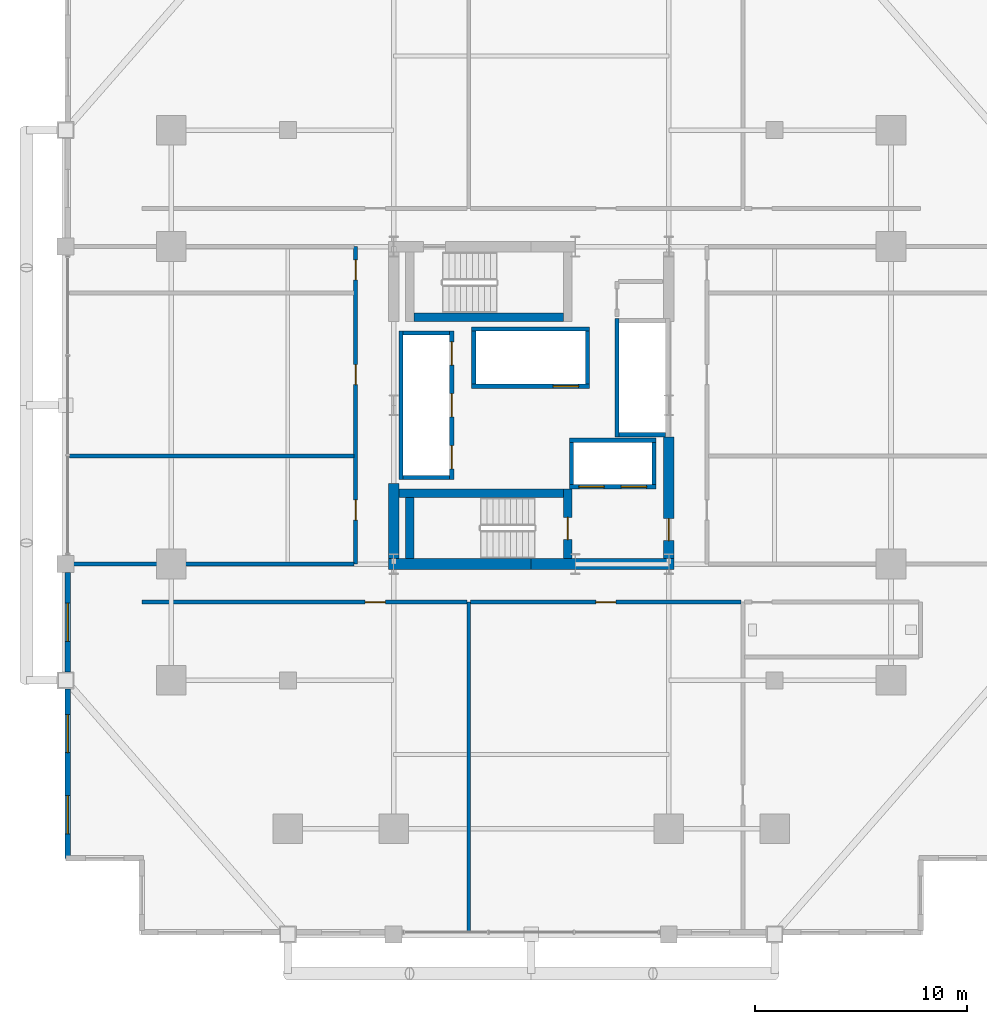
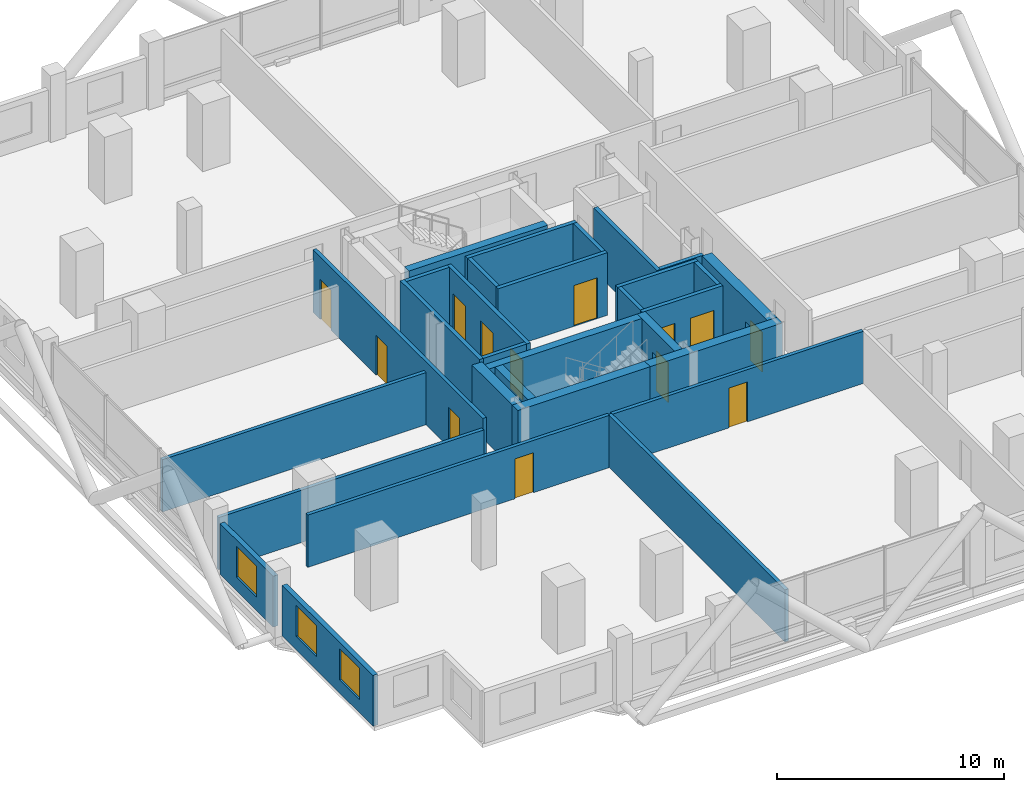
# One storey, part 21 of 26: 30 walls, 13 doors, 3 windows, 16 openings.
"""IFC4 building model written with IfcOpenShell, lengths in metres."""

from ifc_helpers import new_model, si_unit, direction, frame, frame_2d, origin, place, context, subcontext, project, spatial, rectangle, extrude, material, layer, layer_set, type_object, element, fill, save


model = new_model("IFC4")

# Units and contexts
model_context = context("Model", 3, precision=1e-05, world=origin(), true_north=direction((0.0, 1.0)))
body_context = subcontext(model_context, "Body", "Model", "MODEL_VIEW")
ifc_project = project(units=[si_unit("LENGTHUNIT", "METRE"), si_unit("AREAUNIT", "SQUARE_METRE"), si_unit("VOLUMEUNIT", "CUBIC_METRE"), si_unit("PLANEANGLEUNIT", "RADIAN"), si_unit("MASSUNIT", "GRAM", prefix="KILO")], contexts=[model_context])

# Site, building, storey
site_placement = place(None, origin())
site = spatial("IfcSite", under=ifc_project, at=site_placement, CompositionType="ELEMENT")
building_placement = place(site_placement, origin())
building = spatial("IfcBuilding", under=site, at=building_placement, Name="Barlavira Tower and Art Museum", CompositionType="ELEMENT")
storey_placement = place(building_placement, frame((0.0, 0.0, 82.800048828125)))
storey = spatial("IfcBuildingStorey", under=building, at=storey_placement, Name="L20", CompositionType="ELEMENT", Elevation=82.800048828125)

# Walls
ifc_material_1 = material(Name="Concrete C60", Category="concrete")
ifc_layer_1 = layer(ifc_material_1, 0.5, Name="Concrete C60")
ifc_layer_set_1 = layer_set([ifc_layer_1], Name="Concrete C60")
wall_type_1 = type_object("IfcWallType", Name="Core Structural Shear Wall 500 Concrete C60", PredefinedType="SHEAR", material=ifc_layer_set_1)
for number, where, z_axis, x_axis, name in (
    (1, (-6.75, -7.5, 0.0), (0.0, 0.0, 1.0), (1.0, 0.0, 0.0), "L20 Core Shear Wall CS-SW"),
    (2, (0.0, -7.5, 0.0), (0.0, 0.0, 1.0), (1.0, 0.0, 0.0), "L20 Core Shear Wall CS-SE"),
):
    element("IfcWall", number, at=place(storey_placement, frame(where, z_axis=z_axis, x_axis=x_axis)), inside=storey, type_object=wall_type_1, Name=name, PredefinedType="SHEAR", context=body_context, shape_type="SweptSolid", body=[
        extrude(rectangle(XDim=6.75, YDim=0.5, at=frame_2d((3.375, 0.0))), origin(), (0.0, 0.0, 1.0), 3.3798828125),
    ])
wall_1_placement = place(storey_placement, frame((-6.5, -7.25, 0.0), z_axis=(0.0, 0.0, 1.0), x_axis=(0.0, 1.0, 0.0)))
element("IfcWall", 3, at=wall_1_placement, inside=storey, type_object=wall_type_1, Name="L20 Core Shear Wall CS-W1", PredefinedType="SHEAR", context=body_context, shape_type="SweptSolid", body=[
    extrude(rectangle(XDim=3.550048828125, YDim=0.5, at=frame_2d((1.77490234375, 0.0))), origin(), (0.0, 0.0, 1.0), 3.3798828125),
])

# Wall, opening, door
wall_2_placement = place(storey_placement, frame((6.5, -7.25, 0.0), z_axis=(0.0, 0.0, 1.0), x_axis=(0.0, 1.0, 0.0)))
wall_2 = element("IfcWall", 4, at=wall_2_placement, inside=storey, type_object=wall_type_1, Name="L20 Core Shear Wall CS-E1", PredefinedType="SHEAR", context=body_context, shape_type="SweptSolid", body=[
    extrude(rectangle(XDim=5.75, YDim=0.5, at=frame_2d((2.875, 0.0))), origin(), (0.0, 0.0, 1.0), 3.3798828125),
])
opening_1_placement = place(wall_2_placement, frame((0.85009765625, 0.0, 0.0)))
opening_1 = element("IfcOpeningElement", 5, at=opening_1_placement, cuts=wall_2, Name="Opening FD-90", PredefinedType="OPENING", context=body_context, shape_type="SweptSolid", body=[
    extrude(rectangle(XDim=1.050048828125, YDim=2.14990234375, at=frame_2d((0.52490234375, 1.074951171875))), frame((0.0, 0.260009765625, 0.0), z_axis=(0.0, -1.0, 0.0), x_axis=(1.0, 0.0, 0.0)), (0.0, 0.0, 1.0), 0.52001953125),
])
ifc_material_2 = material(Name="Brushed stainless steel", Category="steel")
door_type_1 = type_object("IfcDoorType", Name="Stair and Refuge Fire Door 1050x2150 FD90S", OperationType="NOTDEFINED", PredefinedType="DOOR", material=ifc_material_2)
door_1_placement = place(opening_1_placement, origin())
door_1 = element("IfcDoor", 6, at=door_1_placement, inside=storey, type_object=door_type_1, Name="L20 Firefighting Lobby Entry Fire Door", OperationType="SINGLE_SWING_LEFT", OverallHeight=2.14990234375, OverallWidth=1.050048828125, PredefinedType="DOOR", context=body_context, shape_type="SweptSolid", body=[
    extrude(rectangle(XDim=1.050048828125, YDim=2.14990234375, at=frame_2d((0.52490234375, 1.074951171875))), frame((0.0, 0.02490234375, 0.0), z_axis=(0.0, -1.0, 0.0), x_axis=(1.0, 0.0, 0.0)), (0.0, 0.0, 1.0), 0.050048828125),
])
fill(opening_1, door_1)

# Wall, openings, doors
ifc_material_3 = material(Name="Autoclaved aerated concrete masonry", Category="masonry")
ifc_layer_2 = layer(ifc_material_3, 0.199951171875, Name="Autoclaved aerated concrete masonry")
ifc_layer_set_2 = layer_set([ifc_layer_2], Name="Autoclaved aerated concrete masonry")
wall_type_2 = type_object("IfcWallType", Name="Fire Compartment and Shaft Wall 200", PredefinedType="SOLIDWALL", material=ifc_layer_set_2)
wall_3_placement = place(storey_placement, frame((-3.75, -3.510009765625, 0.0), z_axis=(0.0, 0.0, 1.0), x_axis=(0.0, 1.0, 0.0)))
wall_3 = element("IfcWall", 7, at=wall_3_placement, inside=storey, type_object=wall_type_2, Name="L20 Low-Rise Lift Front Shaft Wall", PredefinedType="SOLIDWALL", context=body_context, shape_type="SweptSolid", body=[
    extrude(rectangle(XDim=7.02001953125, YDim=0.199951171875, at=frame_2d((3.510009765625, 0.0))), origin(), (0.0, 0.0, 1.0), 3.3798828125),
])
opening_2_placement = place(wall_3_placement, frame((0.510009765625, 0.0, 0.0)))
opening_2 = element("IfcOpeningElement", 8, at=opening_2_placement, cuts=wall_3, Name="Opening LD-P", PredefinedType="OPENING", context=body_context, shape_type="SweptSolid", body=[
    extrude(rectangle(XDim=1.10009765625, YDim=2.14990234375, at=frame_2d((0.550048828125, 1.074951171875))), frame((0.0, 0.10986328125, 0.0), z_axis=(0.0, -1.0, 0.0), x_axis=(1.0, 0.0, 0.0)), (0.0, 0.0, 1.0), 0.219970703125),
])
opening_3_placement = place(wall_3_placement, frame((2.9599609375, 0.0, 0.0)))
opening_3 = element("IfcOpeningElement", 9, at=opening_3_placement, cuts=wall_3, Name="Opening LD-P", PredefinedType="OPENING", context=body_context, shape_type="SweptSolid", body=[
    extrude(rectangle(XDim=1.10009765625, YDim=2.14990234375, at=frame_2d((0.550048828125, 1.074951171875))), frame((0.0, 0.10986328125, 0.0), z_axis=(0.0, -1.0, 0.0), x_axis=(1.0, 0.0, 0.0)), (0.0, 0.0, 1.0), 0.219970703125),
])
opening_4_placement = place(wall_3_placement, frame((5.409912109375, 0.0, 0.0)))
opening_4 = element("IfcOpeningElement", 10, at=opening_4_placement, cuts=wall_3, Name="Opening LD-P", PredefinedType="OPENING", context=body_context, shape_type="SweptSolid", body=[
    extrude(rectangle(XDim=1.10009765625, YDim=2.14990234375, at=frame_2d((0.550048828125, 1.074951171875))), frame((0.0, 0.10986328125, 0.0), z_axis=(0.0, -1.0, 0.0), x_axis=(1.0, 0.0, 0.0)), (0.0, 0.0, 1.0), 0.219970703125),
])
door_type_2 = type_object("IfcDoorType", Name="Passenger Lift Sliding Landing Door 1100x2150 FD60", OperationType="NOTDEFINED", PredefinedType="DOOR", material=ifc_material_2)
door_2_placement = place(opening_2_placement, origin())
door_2 = element("IfcDoor", 11, at=door_2_placement, inside=storey, type_object=door_type_2, Name="L20 Lift PL1 Sliding Landing Door", OperationType="DOUBLE_DOOR_SLIDING", OverallHeight=2.14990234375, OverallWidth=1.10009765625, PredefinedType="DOOR", context=body_context, shape_type="SweptSolid", body=[
    extrude(rectangle(XDim=1.10009765625, YDim=2.14990234375, at=frame_2d((0.550048828125, 1.074951171875))), frame((0.0, 0.02490234375, 0.0), z_axis=(0.0, -1.0, 0.0), x_axis=(1.0, 0.0, 0.0)), (0.0, 0.0, 1.0), 0.050048828125),
])
fill(opening_2, door_2)
door_3_placement = place(opening_3_placement, origin())
door_3 = element("IfcDoor", 12, at=door_3_placement, inside=storey, type_object=door_type_2, Name="L20 Lift PL2 Sliding Landing Door", OperationType="DOUBLE_DOOR_SLIDING", OverallHeight=2.14990234375, OverallWidth=1.10009765625, PredefinedType="DOOR", context=body_context, shape_type="SweptSolid", body=[
    extrude(rectangle(XDim=1.10009765625, YDim=2.14990234375, at=frame_2d((0.550048828125, 1.074951171875))), frame((0.0, 0.02490234375, 0.0), z_axis=(0.0, -1.0, 0.0), x_axis=(1.0, 0.0, 0.0)), (0.0, 0.0, 1.0), 0.050048828125),
])
fill(opening_3, door_3)
door_4_placement = place(opening_4_placement, origin())
door_4 = element("IfcDoor", 13, at=door_4_placement, inside=storey, type_object=door_type_2, Name="L20 Lift PL3 Sliding Landing Door", OperationType="DOUBLE_DOOR_SLIDING", OverallHeight=2.14990234375, OverallWidth=1.10009765625, PredefinedType="DOOR", context=body_context, shape_type="SweptSolid", body=[
    extrude(rectangle(XDim=1.10009765625, YDim=2.14990234375, at=frame_2d((0.550048828125, 1.074951171875))), frame((0.0, 0.02490234375, 0.0), z_axis=(0.0, -1.0, 0.0), x_axis=(1.0, 0.0, 0.0)), (0.0, 0.0, 1.0), 0.050048828125),
])
fill(opening_4, door_4)

# Walls
wall_4_placement = place(storey_placement, frame((-6.14990234375, -3.510009765625, 0.0), z_axis=(0.0, 0.0, 1.0), x_axis=(0.0, 1.0, 0.0)))
element("IfcWall", 14, at=wall_4_placement, inside=storey, type_object=wall_type_2, Name="L20 Low-Rise Lift Back Shaft Wall", PredefinedType="SOLIDWALL", context=body_context, shape_type="SweptSolid", body=[
    extrude(rectangle(XDim=7.02001953125, YDim=0.199951171875, at=frame_2d((3.510009765625, 0.0))), origin(), (0.0, 0.0, 1.0), 3.3798828125),
])
for number, where, z_axis, x_axis, name in (
    (15, (-6.050048828125, -3.409912109375, 0.0), (0.0, 0.0, 1.0), (1.0, 0.0, 0.0), "L20 Low-Rise Lift South Shaft Wall"),
    (16, (-6.050048828125, 3.409912109375, 0.0), (0.0, 0.0, 1.0), (1.0, 0.0, 0.0), "L20 Low-Rise Lift North Shaft Wall"),
):
    element("IfcWall", number, at=place(storey_placement, frame(where, z_axis=z_axis, x_axis=x_axis)), inside=storey, type_object=wall_type_2, Name=name, PredefinedType="SOLIDWALL", context=body_context, shape_type="SweptSolid", body=[
        extrude(rectangle(XDim=2.199951171875, YDim=0.199951171875, at=frame_2d((1.10009765625, 0.0))), origin(), (0.0, 0.0, 1.0), 3.3798828125),
    ])
wall_5_placement = place(storey_placement, frame((4.050048828125, -1.489990234375, 0.0), z_axis=(0.0, 0.0, 1.0), x_axis=(0.0, 1.0, 0.0)))
element("IfcWall", 17, at=wall_5_placement, inside=storey, type_object=wall_type_2, Name="L20 Mid-Rise Lift Front Shaft Wall", PredefinedType="SOLIDWALL", context=body_context, shape_type="SweptSolid", body=[
    extrude(rectangle(XDim=5.580078125, YDim=0.199951171875, at=frame_2d((2.7900390625, 0.0))), origin(), (0.0, 0.0, 1.0), 3.3798828125),
])
wall_6_placement = place(storey_placement, frame((4.14990234375, -1.389892578125, 0.0), z_axis=(0.0, 0.0, 1.0), x_axis=(1.0, 0.0, 0.0)))
element("IfcWall", 18, at=wall_6_placement, inside=storey, type_object=wall_type_2, Name="L20 Mid-Rise Lift South Shaft Wall", PredefinedType="SOLIDWALL", context=body_context, shape_type="SweptSolid", body=[
    extrude(rectangle(XDim=2.2001953125, YDim=0.199951171875, at=frame_2d((1.10009765625, 0.0))), origin(), (0.0, 0.0, 1.0), 3.3798828125),
])

# Wall, opening, door
wall_7_placement = place(storey_placement, frame((-2.820068359375, 0.89990234375, 0.0), z_axis=(0.0, 0.0, 1.0), x_axis=(1.0, 0.0, 0.0)))
wall_7 = element("IfcWall", 19, at=wall_7_placement, inside=storey, type_object=wall_type_2, Name="L20 High-Rise & Service Lift Front Wall", PredefinedType="SOLIDWALL", context=body_context, shape_type="SweptSolid", body=[
    extrude(rectangle(XDim=5.580078125, YDim=0.199951171875, at=frame_2d((2.7900390625, 0.0))), origin(), (0.0, 0.0, 1.0), 3.3798828125),
])
opening_5_placement = place(wall_7_placement, frame((3.860107421875, 0.0, 0.0)))
opening_5 = element("IfcOpeningElement", 20, at=opening_5_placement, cuts=wall_7, Name="Opening LD-F", PredefinedType="OPENING", context=body_context, shape_type="SweptSolid", body=[
    extrude(rectangle(XDim=1.199951171875, YDim=2.199951171875, at=frame_2d((0.60009765625, 1.10009765625))), frame((0.0, 0.10986328125, 0.0), z_axis=(0.0, -1.0, 0.0), x_axis=(1.0, 0.0, 0.0)), (0.0, 0.0, 1.0), 0.219970703125),
])
door_type_3 = type_object("IfcDoorType", Name="Firefighting and Service Lift Sliding Door 1200x2200 FD120", OperationType="NOTDEFINED", PredefinedType="DOOR", material=ifc_material_2)
door_5_placement = place(opening_5_placement, origin())
door_5 = element("IfcDoor", 21, at=door_5_placement, inside=storey, type_object=door_type_3, Name="L20 Stretcher Service Lift SL1 Sliding Door", OperationType="DOUBLE_DOOR_SLIDING", OverallHeight=2.199951171875, OverallWidth=1.199951171875, PredefinedType="DOOR", context=body_context, shape_type="SweptSolid", body=[
    extrude(rectangle(XDim=1.199951171875, YDim=2.199951171875, at=frame_2d((0.60009765625, 1.10009765625))), frame((0.0, 0.02490234375, 0.0), z_axis=(0.0, -1.0, 0.0), x_axis=(1.0, 0.0, 0.0)), (0.0, 0.0, 1.0), 0.050048828125),
])
fill(opening_5, door_5)

# Walls
wall_8_placement = place(storey_placement, frame((-2.820068359375, 3.60009765625, 0.0), z_axis=(0.0, 0.0, 1.0), x_axis=(1.0, 0.0, 0.0)))
element("IfcWall", 22, at=wall_8_placement, inside=storey, type_object=wall_type_2, Name="L20 High-Rise & Service Lift Back Wall", PredefinedType="SOLIDWALL", context=body_context, shape_type="SweptSolid", body=[
    extrude(rectangle(XDim=5.580078125, YDim=0.199951171875, at=frame_2d((2.7900390625, 0.0))), origin(), (0.0, 0.0, 1.0), 3.3798828125),
])
for number, where, z_axis, x_axis, name in (
    (23, (-2.719970703125, 1.0, 0.0), (0.0, 0.0, 1.0), (0.0, 1.0, 0.0), "L20 High-Rise & Service Lift West Wall"),
    (24, (2.659912109375, 1.0, 0.0), (0.0, 0.0, 1.0), (0.0, 1.0, 0.0), "L20 High-Rise & Service Lift East Wall"),
):
    element("IfcWall", number, at=place(storey_placement, frame(where, z_axis=z_axis, x_axis=x_axis)), inside=storey, type_object=wall_type_2, Name=name, PredefinedType="SOLIDWALL", context=body_context, shape_type="SweptSolid", body=[
        extrude(rectangle(XDim=2.5, YDim=0.199951171875, at=frame_2d((1.25, 0.0))), origin(), (0.0, 0.0, 1.0), 3.3798828125),
    ])

# Wall, openings, doors
wall_9_placement = place(storey_placement, frame((1.800048828125, -3.85009765625, 0.0), z_axis=(0.0, 0.0, 1.0), x_axis=(1.0, 0.0, 0.0)))
wall_9 = element("IfcWall", 25, at=wall_9_placement, inside=storey, type_object=wall_type_2, Name="L20 Firefighting Lift Front Shaft Wall", PredefinedType="SOLIDWALL", context=body_context, shape_type="SweptSolid", body=[
    extrude(rectangle(XDim=4.099853515625, YDim=0.199951171875, at=frame_2d((2.0498046875, 0.0))), origin(), (0.0, 0.0, 1.0), 3.3798828125),
])
opening_6_placement = place(wall_9_placement, frame((0.449951171875, 0.0, 0.0)))
opening_6 = element("IfcOpeningElement", 26, at=opening_6_placement, cuts=wall_9, Name="Opening LD-F", PredefinedType="OPENING", context=body_context, shape_type="SweptSolid", body=[
    extrude(rectangle(XDim=1.199951171875, YDim=2.199951171875, at=frame_2d((0.60009765625, 1.10009765625))), frame((0.0, 0.10986328125, 0.0), z_axis=(0.0, -1.0, 0.0), x_axis=(1.0, 0.0, 0.0)), (0.0, 0.0, 1.0), 0.219970703125),
])
opening_7_placement = place(wall_9_placement, frame((2.449951171875, 0.0, 0.0)))
opening_7 = element("IfcOpeningElement", 27, at=opening_7_placement, cuts=wall_9, Name="Opening LD-F", PredefinedType="OPENING", context=body_context, shape_type="SweptSolid", body=[
    extrude(rectangle(XDim=1.199951171875, YDim=2.199951171875, at=frame_2d((0.60009765625, 1.10009765625))), frame((0.0, 0.10986328125, 0.0), z_axis=(0.0, -1.0, 0.0), x_axis=(1.0, 0.0, 0.0)), (0.0, 0.0, 1.0), 0.219970703125),
])
door_6_placement = place(opening_6_placement, origin())
door_6 = element("IfcDoor", 28, at=door_6_placement, inside=storey, type_object=door_type_3, Name="L20 Firefighting Lift FF1 Sliding Door", OperationType="DOUBLE_DOOR_SLIDING", OverallHeight=2.199951171875, OverallWidth=1.199951171875, PredefinedType="DOOR", context=body_context, shape_type="SweptSolid", body=[
    extrude(rectangle(XDim=1.199951171875, YDim=2.199951171875, at=frame_2d((0.60009765625, 1.10009765625))), frame((0.0, 0.02490234375, 0.0), z_axis=(0.0, -1.0, 0.0), x_axis=(1.0, 0.0, 0.0)), (0.0, 0.0, 1.0), 0.050048828125),
])
fill(opening_6, door_6)
door_7_placement = place(opening_7_placement, origin())
door_7 = element("IfcDoor", 29, at=door_7_placement, inside=storey, type_object=door_type_3, Name="L20 Firefighting Lift FF2 Sliding Door", OperationType="DOUBLE_DOOR_SLIDING", OverallHeight=2.199951171875, OverallWidth=1.199951171875, PredefinedType="DOOR", context=body_context, shape_type="SweptSolid", body=[
    extrude(rectangle(XDim=1.199951171875, YDim=2.199951171875, at=frame_2d((0.60009765625, 1.10009765625))), frame((0.0, 0.02490234375, 0.0), z_axis=(0.0, -1.0, 0.0), x_axis=(1.0, 0.0, 0.0)), (0.0, 0.0, 1.0), 0.050048828125),
])
fill(opening_7, door_7)

# Walls
wall_10_placement = place(storey_placement, frame((1.800048828125, -1.64990234375, 0.0), z_axis=(0.0, 0.0, 1.0), x_axis=(1.0, 0.0, 0.0)))
element("IfcWall", 30, at=wall_10_placement, inside=storey, type_object=wall_type_2, Name="L20 Firefighting Lift Back Shaft Wall", PredefinedType="SOLIDWALL", context=body_context, shape_type="SweptSolid", body=[
    extrude(rectangle(XDim=4.099853515625, YDim=0.199951171875, at=frame_2d((2.0498046875, 0.0))), origin(), (0.0, 0.0, 1.0), 3.3798828125),
])
for number, where, z_axis, x_axis, name in (
    (31, (1.89990234375, -3.75, 0.0), (0.0, 0.0, 1.0), (0.0, 1.0, 0.0), "L20 Firefighting Lift West Shaft Wall"),
    (32, (5.800048828125, -3.75, 0.0), (0.0, 0.0, 1.0), (0.0, 1.0, 0.0), "L20 Firefighting Lift East Shaft Wall"),
):
    element("IfcWall", number, at=place(storey_placement, frame(where, z_axis=z_axis, x_axis=x_axis)), inside=storey, type_object=wall_type_2, Name=name, PredefinedType="SOLIDWALL", context=body_context, shape_type="SweptSolid", body=[
        extrude(rectangle(XDim=2.0, YDim=0.199951171875, at=frame_2d((1.0, 0.0))), origin(), (0.0, 0.0, 1.0), 3.3798828125),
    ])

# Wall, openings, doors
ifc_material_4 = material(Name="Gypsum acoustic stud partition", Category="gypsum")
ifc_layer_3 = layer(ifc_material_4, 0.179931640625, Name="Gypsum acoustic stud partition")
ifc_layer_set_3 = layer_set([ifc_layer_3], Name="Gypsum acoustic stud partition")
wall_type_3 = type_object("IfcWallType", Name="Inter-Tenancy Party Partition Wall 180", PredefinedType="PARTITIONING", material=ifc_layer_set_3)
wall_11_placement = place(storey_placement, frame((-8.300048828125, -7.5, 0.0), z_axis=(0.0, 0.0, 1.0), x_axis=(0.0, 1.0, 0.0)))
wall_11 = element("IfcWall", 33, at=wall_11_placement, inside=storey, type_object=wall_type_3, Name="L20 Partition Wall 1", PredefinedType="PARTITIONING", context=body_context, shape_type="SweptSolid", body=[
    extrude(rectangle(XDim=15.0, YDim=0.179931640625, at=frame_2d((7.5, 0.0))), origin(), (0.0, 0.0, 1.0), 3.3798828125),
])
opening_8_placement = place(wall_11_placement, frame((2.074951171875, 0.0, 0.0)))
opening_8 = element("IfcOpeningElement", 34, at=opening_8_placement, cuts=wall_11, Name="Opening FD-60", PredefinedType="OPENING", context=body_context, shape_type="SweptSolid", body=[
    extrude(rectangle(XDim=0.949951171875, YDim=2.14990234375, at=frame_2d((0.47509765625, 1.074951171875))), frame((0.0, 0.10009765625, 0.0), z_axis=(0.0, -1.0, 0.0), x_axis=(1.0, 0.0, 0.0)), (0.0, 0.0, 1.0), 0.199951171875),
])
opening_9_placement = place(wall_11_placement, frame((8.47509765625, 0.0, 0.0)))
opening_9 = element("IfcOpeningElement", 35, at=opening_9_placement, cuts=wall_11, Name="Opening FD-60", PredefinedType="OPENING", context=body_context, shape_type="SweptSolid", body=[
    extrude(rectangle(XDim=0.949951171875, YDim=2.14990234375, at=frame_2d((0.47509765625, 1.074951171875))), frame((0.0, 0.10009765625, 0.0), z_axis=(0.0, -1.0, 0.0), x_axis=(1.0, 0.0, 0.0)), (0.0, 0.0, 1.0), 0.199951171875),
])
opening_10_placement = place(wall_11_placement, frame((13.425048828125, 0.0, 0.0)))
opening_10 = element("IfcOpeningElement", 36, at=opening_10_placement, cuts=wall_11, Name="Opening FD-60", PredefinedType="OPENING", context=body_context, shape_type="SweptSolid", body=[
    extrude(rectangle(XDim=0.949951171875, YDim=2.14990234375, at=frame_2d((0.47509765625, 1.074951171875))), frame((0.0, 0.10009765625, 0.0), z_axis=(0.0, -1.0, 0.0), x_axis=(1.0, 0.0, 0.0)), (0.0, 0.0, 1.0), 0.199951171875),
])
door_type_4 = type_object("IfcDoorType", Name="Apartment Entrance and Riser Fire Door 950x2150 FD60S", OperationType="NOTDEFINED", PredefinedType="DOOR", material=ifc_material_2)
door_8_placement = place(opening_8_placement, origin())
door_8 = element("IfcDoor", 37, at=door_8_placement, inside=storey, type_object=door_type_4, Name="Resident Art Collectors Salon Door", OperationType="SINGLE_SWING_RIGHT", OverallHeight=2.14990234375, OverallWidth=0.949951171875, PredefinedType="DOOR", context=body_context, shape_type="SweptSolid", body=[
    extrude(rectangle(XDim=0.949951171875, YDim=2.14990234375, at=frame_2d((0.47509765625, 1.074951171875))), frame((0.0, 0.02490234375, 0.0), z_axis=(0.0, -1.0, 0.0), x_axis=(1.0, 0.0, 0.0)), (0.0, 0.0, 1.0), 0.050048828125),
])
fill(opening_8, door_8)
door_9_placement = place(opening_9_placement, origin())
door_9 = element("IfcDoor", 38, at=door_9_placement, inside=storey, type_object=door_type_4, Name="Sculpture and Painting Workshop Door", OperationType="SINGLE_SWING_LEFT", OverallHeight=2.14990234375, OverallWidth=0.949951171875, PredefinedType="DOOR", context=body_context, shape_type="SweptSolid", body=[
    extrude(rectangle(XDim=0.949951171875, YDim=2.14990234375, at=frame_2d((0.47509765625, 1.074951171875))), frame((0.0, 0.02490234375, 0.0), z_axis=(0.0, -1.0, 0.0), x_axis=(1.0, 0.0, 0.0)), (0.0, 0.0, 1.0), 0.050048828125),
])
fill(opening_9, door_9)
door_10_placement = place(opening_10_placement, origin())
door_10 = element("IfcDoor", 39, at=door_10_placement, inside=storey, type_object=door_type_4, Name="Climate-Controlled Wine Tasting Room Door", OperationType="SINGLE_SWING_RIGHT", OverallHeight=2.14990234375, OverallWidth=0.949951171875, PredefinedType="DOOR", context=body_context, shape_type="SweptSolid", body=[
    extrude(rectangle(XDim=0.949951171875, YDim=2.14990234375, at=frame_2d((0.47509765625, 1.074951171875))), frame((0.0, 0.02490234375, 0.0), z_axis=(0.0, -1.0, 0.0), x_axis=(1.0, 0.0, 0.0)), (0.0, 0.0, 1.0), 0.050048828125),
])
fill(opening_10, door_10)

# Wall
wall_12_placement = place(storey_placement, frame((-2.949951171875, -24.89990234375, 0.0), z_axis=(0.0, 0.0, 1.0), x_axis=(0.0, 1.0, 0.0)))
element("IfcWall", 40, at=wall_12_placement, inside=storey, type_object=wall_type_3, Name="L20 Partition Wall 2", PredefinedType="PARTITIONING", context=body_context, shape_type="SweptSolid", body=[
    extrude(rectangle(XDim=15.599853515625, YDim=0.179931640625, at=frame_2d((7.7998046875, 0.0))), origin(), (0.0, 0.0, 1.0), 2.81591796875),
])

# Wall, opening, door
wall_13_placement = place(storey_placement, frame((-18.39990234375, -9.300048828125, 0.0), z_axis=(0.0, 0.0, 1.0), x_axis=(1.0, 0.0, 0.0)))
wall_13 = element("IfcWall", 41, at=wall_13_placement, inside=storey, type_object=wall_type_3, Name="L20 Partition Wall 10", PredefinedType="PARTITIONING", context=body_context, shape_type="SweptSolid", body=[
    extrude(rectangle(XDim=15.369873046875, YDim=0.179931640625, at=frame_2d((7.68505859375, 0.0))), origin(), (0.0, 0.0, 1.0), 2.81591796875),
])
opening_11_placement = place(wall_13_placement, frame((10.554931640625, 0.0, 0.0)))
opening_11 = element("IfcOpeningElement", 42, at=opening_11_placement, cuts=wall_13, Name="Opening FD-60", PredefinedType="OPENING", context=body_context, shape_type="SweptSolid", body=[
    extrude(rectangle(XDim=0.949951171875, YDim=2.14990234375, at=frame_2d((0.47509765625, 1.074951171875))), frame((0.0, 0.10009765625, 0.0), z_axis=(0.0, -1.0, 0.0), x_axis=(1.0, 0.0, 0.0)), (0.0, 0.0, 1.0), 0.199951171875),
])
door_11_placement = place(opening_11_placement, origin())
door_11 = element("IfcDoor", 43, at=door_11_placement, inside=storey, type_object=door_type_4, Name="Resident Ocean-View Fitness Studio Door", OperationType="SINGLE_SWING_LEFT", OverallHeight=2.14990234375, OverallWidth=0.949951171875, PredefinedType="DOOR", context=body_context, shape_type="SweptSolid", body=[
    extrude(rectangle(XDim=0.949951171875, YDim=2.14990234375, at=frame_2d((0.47509765625, 1.074951171875))), frame((0.0, 0.02490234375, 0.0), z_axis=(0.0, -1.0, 0.0), x_axis=(1.0, 0.0, 0.0)), (0.0, 0.0, 1.0), 0.050048828125),
])
fill(opening_11, door_11)

wall_14_placement = place(storey_placement, frame((-2.8701171875, -9.300048828125, 0.0), z_axis=(0.0, 0.0, 1.0), x_axis=(1.0, 0.0, 0.0)))
wall_14 = element("IfcWall", 44, at=wall_14_placement, inside=storey, type_object=wall_type_3, Name="L20 Partition Wall 11", PredefinedType="PARTITIONING", context=body_context, shape_type="SweptSolid", body=[
    extrude(rectangle(XDim=12.7900390625, YDim=0.179931640625, at=frame_2d((6.39501953125, 0.0))), origin(), (0.0, 0.0, 1.0), 2.81591796875),
])
opening_12_placement = place(wall_14_placement, frame((5.925048828125, 0.0, 0.0)))
opening_12 = element("IfcOpeningElement", 45, at=opening_12_placement, cuts=wall_14, Name="Opening FD-60", PredefinedType="OPENING", context=body_context, shape_type="SweptSolid", body=[
    extrude(rectangle(XDim=0.949951171875, YDim=2.14990234375, at=frame_2d((0.47509765625, 1.074951171875))), frame((0.0, 0.10009765625, 0.0), z_axis=(0.0, -1.0, 0.0), x_axis=(1.0, 0.0, 0.0)), (0.0, 0.0, 1.0), 0.199951171875),
])
door_12_placement = place(opening_12_placement, origin())
door_12 = element("IfcDoor", 46, at=door_12_placement, inside=storey, type_object=door_type_4, Name="Coastal Hydrotherapy and Yoga Lounge Door", OperationType="SINGLE_SWING_RIGHT", OverallHeight=2.14990234375, OverallWidth=0.949951171875, PredefinedType="DOOR", context=body_context, shape_type="SweptSolid", body=[
    extrude(rectangle(XDim=0.949951171875, YDim=2.14990234375, at=frame_2d((0.47509765625, 1.074951171875))), frame((0.0, 0.02490234375, 0.0), z_axis=(0.0, -1.0, 0.0), x_axis=(1.0, 0.0, 0.0)), (0.0, 0.0, 1.0), 0.050048828125),
])
fill(opening_12, door_12)

# Walls
wall_15_placement = place(storey_placement, frame((-21.89990234375, -7.5, 0.0), z_axis=(0.0, 0.0, 1.0), x_axis=(1.0, 0.0, 0.0)))
element("IfcWall", 47, at=wall_15_placement, inside=storey, type_object=wall_type_3, Name="L20 Partition Wall 13", PredefinedType="PARTITIONING", context=body_context, shape_type="SweptSolid", body=[
    extrude(rectangle(XDim=13.52001953125, YDim=0.179931640625, at=frame_2d((6.760009765625, 0.0))), origin(), (0.0, 0.0, 1.0), 2.81591796875),
])
wall_16_placement = place(storey_placement, frame((-21.820068359375, -2.39990234375, 0.0), z_axis=(0.0, 0.0, 1.0), x_axis=(1.0, 0.0, 0.0)))
element("IfcWall", 48, at=wall_16_placement, inside=storey, type_object=wall_type_3, Name="L20 Partition Wall 15", PredefinedType="PARTITIONING", context=body_context, shape_type="SweptSolid", body=[
    extrude(rectangle(XDim=13.440185546875, YDim=0.179931640625, at=frame_2d((6.72021484375, 0.0))), origin(), (0.0, 0.0, 1.0), 2.81591796875),
])

# Wall, opening, window
ifc_material_5 = material(Name="Precast concrete C40", Category="concrete")
ifc_layer_4 = layer(ifc_material_5, 0.25, Name="Precast concrete C40")
ifc_layer_set_4 = layer_set([ifc_layer_4], Name="Precast concrete C40")
wall_type_4 = type_object("IfcWallType", Name="Notched Corner Spandrel Wall 250 Precast Concrete C40", PredefinedType="SOLIDWALL", material=ifc_layer_set_4)
wall_17_placement = place(storey_placement, frame((-21.89990234375, -7.89501953125, 0.0), z_axis=(0.0, 0.0, 1.0), x_axis=(0.0, -1.0, 0.0)))
wall_17 = element("IfcWall", 49, at=wall_17_placement, inside=storey, type_object=wall_type_4, Name="L20 Coastal Facade Pier Wall CW1-L20-W-4", PredefinedType="SOLIDWALL", context=body_context, shape_type="SweptSolid", body=[
    extrude(rectangle(XDim=4.7099609375, YDim=0.25, at=frame_2d((2.35498046875, 0.0))), origin(), (0.0, 0.0, 1.0), 2.73583984375),
])
opening_13_placement = place(wall_17_placement, frame((1.455078125, 0.0, 0.719970703125)))
opening_13 = element("IfcOpeningElement", 50, at=opening_13_placement, cuts=wall_17, Name="Opening WN-01", PredefinedType="OPENING", context=body_context, shape_type="SweptSolid", body=[
    extrude(rectangle(XDim=1.800048828125, YDim=1.679931640625, at=frame_2d((0.89990234375, 0.83984375))), frame((0.0, 0.135009765625, 0.0), z_axis=(0.0, -1.0, 0.0), x_axis=(1.0, 0.0, 0.0)), (0.0, 0.0, 1.0), 0.27001953125),
])
ifc_material_6 = material(Name="Low-iron coastal laminated glass", Category="glass")
window_type = type_object("IfcWindowType", Name="Recessed Notch Corner Punch Window 1800x1680", PartitioningType="SINGLE_PANEL", PredefinedType="WINDOW", material=ifc_material_6)
window_1_placement = place(opening_13_placement, origin())
window_1 = element("IfcWindow", 51, at=window_1_placement, inside=storey, type_object=window_type, Name="L20 Punched Facade Window EWP-CW1-L20-W-4-1", OverallHeight=1.679931640625, OverallWidth=1.800048828125, PartitioningType="SINGLE_PANEL", PredefinedType="WINDOW", context=body_context, shape_type="SweptSolid", body=[
    extrude(rectangle(XDim=1.800048828125, YDim=1.679931640625, at=frame_2d((0.89990234375, 0.83984375))), frame((0.0, 0.030029296875, 0.0), z_axis=(0.0, -1.0, 0.0), x_axis=(1.0, 0.0, 0.0)), (0.0, 0.0, 1.0), 0.06005859375),
])
fill(opening_13, window_1)

# Wall, openings, windows
wall_18_placement = place(storey_placement, frame((-21.89990234375, -13.39501953125, 0.0), z_axis=(0.0, 0.0, 1.0), x_axis=(0.0, -1.0, 0.0)))
wall_18 = element("IfcWall", 52, at=wall_18_placement, inside=storey, type_object=wall_type_4, Name="L20 Coastal Facade Pier Wall CW1-L20-W-5", PredefinedType="SOLIDWALL", context=body_context, shape_type="SweptSolid", body=[
    extrude(rectangle(XDim=8.030029296875, YDim=0.25, at=frame_2d((4.01513671875, 0.0))), origin(), (0.0, 0.0, 1.0), 2.73583984375),
])
opening_14_placement = place(wall_18_placement, frame((1.220947265625, 0.0, 0.719970703125)))
opening_14 = element("IfcOpeningElement", 53, at=opening_14_placement, cuts=wall_18, Name="Opening WN-01", PredefinedType="OPENING", context=body_context, shape_type="SweptSolid", body=[
    extrude(rectangle(XDim=1.800048828125, YDim=1.679931640625, at=frame_2d((0.89990234375, 0.83984375))), frame((0.0, 0.135009765625, 0.0), z_axis=(0.0, -1.0, 0.0), x_axis=(1.0, 0.0, 0.0)), (0.0, 0.0, 1.0), 0.27001953125),
])
opening_15_placement = place(wall_18_placement, frame((5.053955078125, 0.0, 0.719970703125)))
opening_15 = element("IfcOpeningElement", 54, at=opening_15_placement, cuts=wall_18, Name="Opening WN-01", PredefinedType="OPENING", context=body_context, shape_type="SweptSolid", body=[
    extrude(rectangle(XDim=1.800048828125, YDim=1.679931640625, at=frame_2d((0.89990234375, 0.83984375))), frame((0.0, 0.135009765625, 0.0), z_axis=(0.0, -1.0, 0.0), x_axis=(1.0, 0.0, 0.0)), (0.0, 0.0, 1.0), 0.27001953125),
])
window_2_placement = place(opening_14_placement, origin())
window_2 = element("IfcWindow", 55, at=window_2_placement, inside=storey, type_object=window_type, Name="L20 Punched Facade Window EWP-CW1-L20-W-5-1", OverallHeight=1.679931640625, OverallWidth=1.800048828125, PartitioningType="SINGLE_PANEL", PredefinedType="WINDOW", context=body_context, shape_type="SweptSolid", body=[
    extrude(rectangle(XDim=1.800048828125, YDim=1.679931640625, at=frame_2d((0.89990234375, 0.83984375))), frame((0.0, 0.030029296875, 0.0), z_axis=(0.0, -1.0, 0.0), x_axis=(1.0, 0.0, 0.0)), (0.0, 0.0, 1.0), 0.06005859375),
])
fill(opening_14, window_2)
window_3_placement = place(opening_15_placement, origin())
window_3 = element("IfcWindow", 56, at=window_3_placement, inside=storey, type_object=window_type, Name="L20 Punched Facade Window EWP-CW1-L20-W-5-2", OverallHeight=1.679931640625, OverallWidth=1.800048828125, PartitioningType="SINGLE_PANEL", PredefinedType="WINDOW", context=body_context, shape_type="SweptSolid", body=[
    extrude(rectangle(XDim=1.800048828125, YDim=1.679931640625, at=frame_2d((0.89990234375, 0.83984375))), frame((0.0, 0.030029296875, 0.0), z_axis=(0.0, -1.0, 0.0), x_axis=(1.0, 0.0, 0.0)), (0.0, 0.0, 1.0), 0.06005859375),
])
fill(opening_15, window_3)

# Walls
ifc_material_7 = material(Name="Concrete C55", Category="concrete")
ifc_layer_5 = layer(ifc_material_7, 0.39990234375, Name="Concrete C55")
ifc_layer_set_5 = layer_set([ifc_layer_5], Name="Concrete C55")
wall_type_5 = type_object("IfcWallType", Name="Upper Core Shear Wall 400 Concrete C55", PredefinedType="SHEAR", material=ifc_layer_set_5)
wall_19_placement = place(storey_placement, frame((-5.75, -7.25, 0.0), z_axis=(0.0, 0.0, 1.0), x_axis=(0.0, 1.0, 0.0)))
element("IfcWall", 57, at=wall_19_placement, inside=storey, type_object=wall_type_5, Name="L20 ST-T1 West Half-Landing Wall", PredefinedType="SHEAR", context=body_context, shape_type="SweptSolid", body=[
    extrude(rectangle(XDim=2.89990234375, YDim=0.39990234375, at=frame_2d((1.449951171875, 0.0))), origin(), (0.0, 0.0, 1.0), 3.3798828125),
])
wall_20_placement = place(storey_placement, frame((-6.25, -4.14990234375, 0.0), z_axis=(0.0, 0.0, 1.0), x_axis=(1.0, 0.0, 0.0)))
element("IfcWall", 58, at=wall_20_placement, inside=storey, type_object=wall_type_5, Name="L20 ST-T1 North Shaft Wall", PredefinedType="SHEAR", context=body_context, shape_type="SweptSolid", body=[
    extrude(rectangle(XDim=7.780029296875, YDim=0.39990234375, at=frame_2d((3.89013671875, 0.0))), origin(), (0.0, 0.0, 1.0), 3.3798828125),
])

# Wall, opening, door
wall_21_placement = place(storey_placement, frame((1.72998046875, -7.25, 0.0), z_axis=(0.0, 0.0, 1.0), x_axis=(0.0, 1.0, 0.0)))
wall_21 = element("IfcWall", 59, at=wall_21_placement, inside=storey, type_object=wall_type_5, Name="L20 ST-T1 East Landing Wall", PredefinedType="SHEAR", context=body_context, shape_type="SweptSolid", body=[
    extrude(rectangle(XDim=3.300048828125, YDim=0.39990234375, at=frame_2d((1.64990234375, 0.0))), origin(), (0.0, 0.0, 1.0), 3.3798828125),
])
opening_16_placement = place(wall_21_placement, frame((0.89990234375, 0.0, 0.0)))
opening_16 = element("IfcOpeningElement", 60, at=opening_16_placement, cuts=wall_21, Name="Opening FD-90", PredefinedType="OPENING", context=body_context, shape_type="SweptSolid", body=[
    extrude(rectangle(XDim=1.050048828125, YDim=2.14990234375, at=frame_2d((0.52490234375, 1.074951171875))), frame((0.0, 0.2099609375, 0.0), z_axis=(0.0, -1.0, 0.0), x_axis=(1.0, 0.0, 0.0)), (0.0, 0.0, 1.0), 0.419921875),
])
door_13_placement = place(opening_16_placement, origin())
door_13 = element("IfcDoor", 61, at=door_13_placement, inside=storey, type_object=door_type_1, Name="L20 Stair ST-T1 Fire Door", OperationType="SINGLE_SWING_RIGHT", OverallHeight=2.14990234375, OverallWidth=1.050048828125, PredefinedType="DOOR", context=body_context, shape_type="SweptSolid", body=[
    extrude(rectangle(XDim=1.050048828125, YDim=2.14990234375, at=frame_2d((0.52490234375, 1.074951171875))), frame((0.0, 0.02490234375, 0.0), z_axis=(0.0, -1.0, 0.0), x_axis=(1.0, 0.0, 0.0)), (0.0, 0.0, 1.0), 0.050048828125),
])
fill(opening_16, door_13)

# Wall
wall_22_placement = place(storey_placement, frame((-5.550048828125, 4.14990234375, 0.0), z_axis=(0.0, 0.0, 1.0), x_axis=(1.0, 0.0, 0.0)))
element("IfcWall", 62, at=wall_22_placement, inside=storey, type_object=wall_type_5, Name="L20 ST-T2 South Shaft Wall", PredefinedType="SHEAR", context=body_context, shape_type="SweptSolid", body=[
    extrude(rectangle(XDim=7.080078125, YDim=0.39990234375, at=frame_2d((3.5400390625, 0.0))), origin(), (0.0, 0.0, 1.0), 3.3798828125),
])

save(model, "model.ifc")
